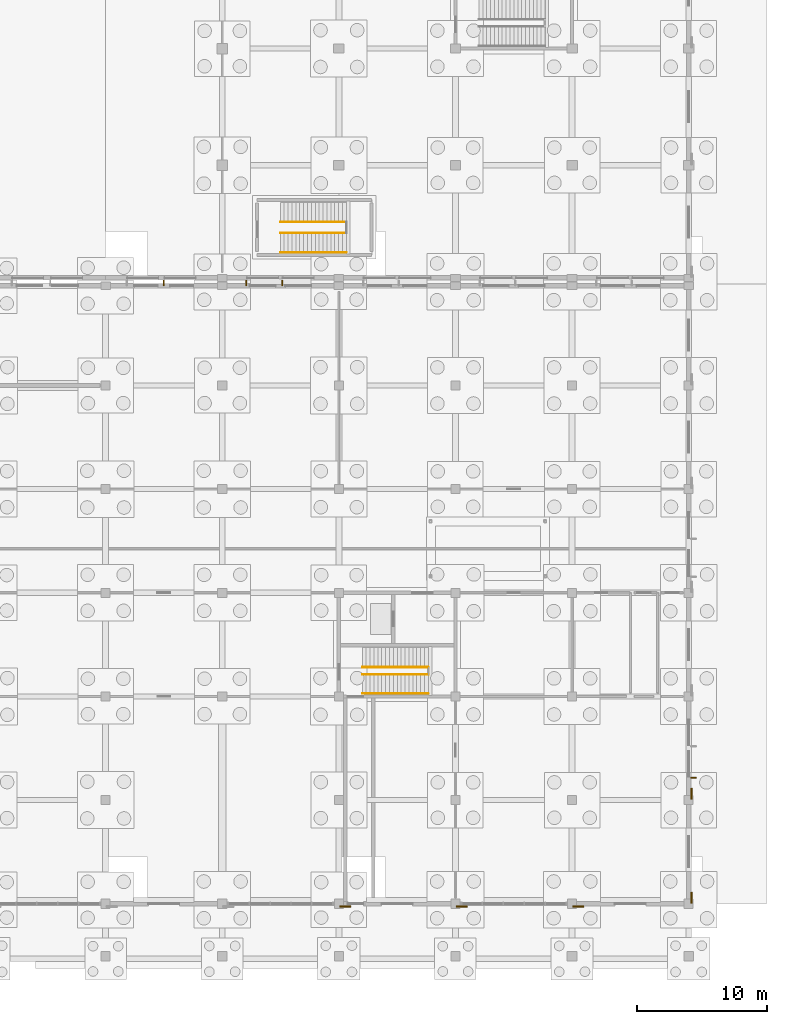
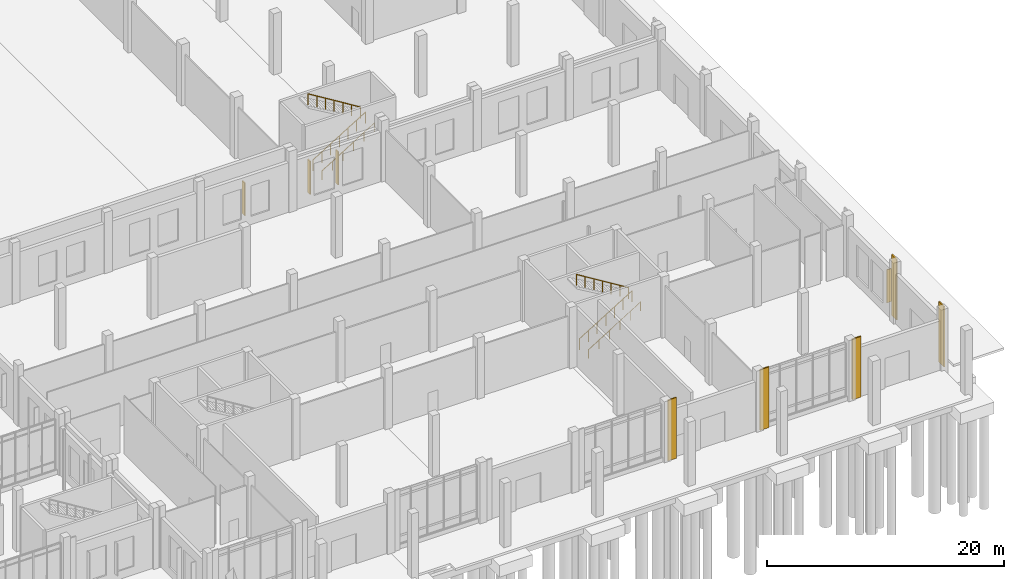
# One storey, part 91 of 99: 6 railings, 5 coverings, 4 shading devices.
"""IFC4 building model written with IfcOpenShell, lengths in metres."""

from ifc_helpers import new_model, si_unit, direction, frame, origin, origin_2d, place, context, subcontext, project, spatial, rectangle, circle, extrude, material, layer, layer_set, type_object, element, save


model = new_model("IFC4")

# Units and contexts
model_context = context("Model", 3, precision=1e-05, world=origin(), true_north=direction((0.0, 1.0)))
body_context = subcontext(model_context, "Body", "Model", "MODEL_VIEW")
ifc_project = project(units=[si_unit("LENGTHUNIT", "METRE"), si_unit("AREAUNIT", "SQUARE_METRE"), si_unit("VOLUMEUNIT", "CUBIC_METRE"), si_unit("PLANEANGLEUNIT", "RADIAN"), si_unit("MASSUNIT", "GRAM", prefix="KILO")], contexts=[model_context])

# Site, building, storey
site_placement = place(None, origin())
site = spatial("IfcSite", under=ifc_project, at=site_placement, CompositionType="ELEMENT")
building_placement = place(site_placement, origin())
building = spatial("IfcBuilding", under=site, at=building_placement, Name="Zacnel Wholesale Market", CompositionType="ELEMENT")
storey_placement = place(building_placement, origin())
storey = spatial("IfcBuildingStorey", under=building, at=storey_placement, Name="L01", CompositionType="ELEMENT", Elevation=0.0)

# Coverings
ifc_material_1 = material(Name="Honed Yucatan Maya cream limestone", Category="masonry")
ifc_layer = layer(ifc_material_1, 0.090087890625)
ifc_layer_set = layer_set([ifc_layer], Name="Honed Yucatan Maya cream limestone")
covering_type = type_object("IfcCoveringType", Name="COV-CLAD-FRET", PredefinedType="CLADDING", material=ifc_layer_set)
for number, where, z_axis, x_axis, name in (
    (1, (189.47998046875, -0.2099609375, 0.02001953125), (0.0, 0.0, 1.0), (1.0, 0.0, 0.0), "Fluted Mayan-Deco limestone pilaster L01-0053"),
    (2, (198.47998046875, -0.2099609375, 0.02001953125), (0.0, 0.0, 1.0), (1.0, 0.0, 0.0), "Fluted Mayan-Deco limestone pilaster L01-0054"),
    (3, (207.47998046875, -0.2099609375, 0.02001953125), (0.0, 0.0, 1.0), (1.0, 0.0, 0.0), "Fluted Mayan-Deco limestone pilaster L01-0055"),
    (4, (216.2099609375, 0.47998046875, 0.02001953125), (0.0, 0.0, 1.0), (0.0, 1.0, 0.0), "Fluted Mayan-Deco limestone pilaster L01-0056"),
    (5, (216.2099609375, 8.47998046875, 0.02001953125), (0.0, 0.0, 1.0), (0.0, 1.0, 0.0), "Fluted Mayan-Deco limestone pilaster L01-0057"),
):
    element("IfcCovering", number, at=place(storey_placement, frame(where, z_axis=z_axis, x_axis=x_axis)), inside=storey, type_object=covering_type, Name=name, PredefinedType="CLADDING", context=body_context, shape_type="SweptSolid", body=[
        extrude(rectangle(XDim=0.85009765625, YDim=0.1201171875, at=origin_2d()), origin(), (0.0, 0.0, 1.0), 6.260009765625),
    ])

# Railings
ifc_material_2 = material(Name="Galvanized steel", Category="steel")
railing_type_1 = type_object("IfcRailingType", Name="RAL-HANDRAIL-920", PredefinedType="HANDRAIL", material=ifc_material_2)
railing_1_placement = place(storey_placement, frame((190.81005859375, 16.2099609375, 0.0)))
element("IfcRailing", 6, at=railing_1_placement, inside=storey, type_object=railing_type_1, Name="Stair ST-04 wall handrail", PredefinedType="HANDRAIL", context=body_context, shape_type="SweptSolid", body=[
    extrude(circle(Radius=0.02099609375, at=origin_2d()), frame((0.0, 0.0, 0.89892578125), z_axis=(0.850798532938, 0.0, 0.525492013594), x_axis=(0.0, 1.0, 0.0)), (0.0, 0.0, 1.0), 5.994140625),
    extrude(circle(Radius=0.01806640625, at=origin_2d()), origin(), (0.0, 0.0, 1.0), 0.8779296875),
    extrude(circle(Radius=0.01806640625, at=origin_2d()), frame((1.02001953125, 0.0, 0.6298828125)), (0.0, 0.0, 1.0), 0.8779296875),
    extrude(circle(Radius=0.01806640625, at=origin_2d()), frame((2.0400390625, 0.0, 1.260009765625)), (0.0, 0.0, 1.0), 0.8779296875),
    extrude(circle(Radius=0.01806640625, at=origin_2d()), frame((3.059814453125, 0.0, 1.889892578125)), (0.0, 0.0, 1.0), 0.8779296875),
    extrude(circle(Radius=0.01806640625, at=origin_2d()), frame((4.079833984375, 0.0, 2.52001953125)), (0.0, 0.0, 1.0), 0.8779296875),
    extrude(circle(Radius=0.01806640625, at=origin_2d()), frame((5.099853515625, 0.0, 3.14990234375)), (0.0, 0.0, 1.0), 0.8779296875),
])
railing_2_placement = place(storey_placement, frame((184.47998046875, 50.280029296875, 0.0)))
element("IfcRailing", 7, at=railing_2_placement, inside=storey, type_object=railing_type_1, Name="Stair ST-22 wall handrail", PredefinedType="HANDRAIL", context=body_context, shape_type="SweptSolid", body=[
    extrude(circle(Radius=0.02099609375, at=origin_2d()), frame((0.0, 0.0, 0.89892578125), z_axis=(0.850809779473, 0.0, 0.52547380444), x_axis=(0.0, 1.0, 0.0)), (0.0, 0.0, 1.0), 5.994384765625),
    extrude(circle(Radius=0.01806640625, at=origin_2d()), origin(), (0.0, 0.0, 1.0), 0.8779296875),
    extrude(circle(Radius=0.01806640625, at=origin_2d()), frame((1.02001953125, 0.0, 0.6298828125)), (0.0, 0.0, 1.0), 0.8779296875),
    extrude(circle(Radius=0.01806640625, at=origin_2d()), frame((2.0400390625, 0.0, 1.260009765625)), (0.0, 0.0, 1.0), 0.8779296875),
    extrude(circle(Radius=0.01806640625, at=origin_2d()), frame((3.06005859375, 0.0, 1.889892578125)), (0.0, 0.0, 1.0), 0.8779296875),
    extrude(circle(Radius=0.01806640625, at=origin_2d()), frame((4.080078125, 0.0, 2.52001953125)), (0.0, 0.0, 1.0), 0.8779296875),
    extrude(circle(Radius=0.01806640625, at=origin_2d()), frame((5.10009765625, 0.0, 3.14990234375)), (0.0, 0.0, 1.0), 0.8779296875),
])
ifc_material_3 = material(Name="Galvanized steel", Category="steel")
railing_type_2 = type_object("IfcRailingType", Name="RAL-STAIR-GD1150", PredefinedType="BALUSTRADE", material=ifc_material_3)
railing_3_placement = place(storey_placement, frame((190.81005859375, 17.699951171875, 0.0)))
element("IfcRailing", 8, at=railing_3_placement, inside=storey, type_object=railing_type_2, Name="Stair balustrade INT-STAIR-ST-04-GDIN-1", PredefinedType="BALUSTRADE", context=body_context, shape_type="SweptSolid", body=[
    extrude(circle(Radius=0.02392578125, at=origin_2d()), frame((0.0, 0.0, 1.1259765625), z_axis=(0.850798532938, 0.0, 0.525492013594), x_axis=(0.0, 1.0, 0.0)), (0.0, 0.0, 1.0), 5.994140625),
    extrude(circle(Radius=0.02099609375, at=origin_2d()), origin(), (0.0, 0.0, 1.0), 1.101806640625),
    extrude(circle(Radius=0.02099609375, at=origin_2d()), frame((0.85009765625, 0.0, 0.52490234375)), (0.0, 0.0, 1.0), 1.101806640625),
    extrude(circle(Radius=0.02099609375, at=origin_2d()), frame((1.699951171875, 0.0, 1.050048828125)), (0.0, 0.0, 1.0), 1.101806640625),
    extrude(circle(Radius=0.02099609375, at=origin_2d()), frame((2.5498046875, 0.0, 1.574951171875)), (0.0, 0.0, 1.0), 1.101806640625),
    extrude(circle(Radius=0.02099609375, at=origin_2d()), frame((3.39990234375, 0.0, 2.099853515625)), (0.0, 0.0, 1.0), 1.101806640625),
    extrude(circle(Radius=0.02099609375, at=origin_2d()), frame((4.25, 0.0, 2.625)), (0.0, 0.0, 1.0), 1.101806640625),
    extrude(circle(Radius=0.02099609375, at=origin_2d()), frame((5.099853515625, 0.0, 3.14990234375)), (0.0, 0.0, 1.0), 1.101806640625),
])
railing_4_placement = place(storey_placement, frame((195.909912109375, 18.25, 3.14990234375)))
element("IfcRailing", 9, at=railing_4_placement, inside=storey, type_object=railing_type_2, Name="Stair balustrade INT-STAIR-ST-04-GDIN-3", PredefinedType="BALUSTRADE", context=body_context, shape_type="SweptSolid", body=[
    extrude(circle(Radius=0.02392578125, at=origin_2d()), frame((0.0, 0.0, 1.1259765625), z_axis=(-0.850780323153, 0.0, 0.525521495028), x_axis=(0.0, -1.0, 0.0)), (0.0, 0.0, 1.0), 5.994384765625),
    extrude(circle(Radius=0.02099609375, at=origin_2d()), origin(), (0.0, 0.0, 1.0), 1.101806640625),
    extrude(circle(Radius=0.02099609375, at=origin_2d()), frame((-0.85009765625, 0.0, 0.52490234375)), (0.0, 0.0, 1.0), 1.101806640625),
    extrude(circle(Radius=0.02099609375, at=origin_2d()), frame((-1.699951171875, 0.0, 1.050048828125)), (0.0, 0.0, 1.0), 1.101806640625),
    extrude(circle(Radius=0.02099609375, at=origin_2d()), frame((-2.5498046875, 0.0, 1.5751953125)), (0.0, 0.0, 1.0), 1.101806640625),
    extrude(circle(Radius=0.02099609375, at=origin_2d()), frame((-3.39990234375, 0.0, 2.10009765625)), (0.0, 0.0, 1.0), 1.101806640625),
    extrude(circle(Radius=0.02099609375, at=origin_2d()), frame((-4.25, 0.0, 2.625)), (0.0, 0.0, 1.0), 1.101806640625),
    extrude(circle(Radius=0.02099609375, at=origin_2d()), frame((-5.099853515625, 0.0, 3.150146484375)), (0.0, 0.0, 1.0), 1.101806640625),
])
railing_5_placement = place(storey_placement, frame((184.47998046875, 51.77001953125, 0.0)))
element("IfcRailing", 10, at=railing_5_placement, inside=storey, type_object=railing_type_2, Name="Stair balustrade INT-STAIR-ST-22-GDIN-1", PredefinedType="BALUSTRADE", context=body_context, shape_type="SweptSolid", body=[
    extrude(circle(Radius=0.02392578125, at=origin_2d()), frame((0.0, 0.0, 1.1259765625), z_axis=(0.850809779473, 0.0, 0.52547380444), x_axis=(0.0, 1.0, 0.0)), (0.0, 0.0, 1.0), 5.994384765625),
    extrude(circle(Radius=0.02099609375, at=origin_2d()), origin(), (0.0, 0.0, 1.0), 1.101806640625),
    extrude(circle(Radius=0.02099609375, at=origin_2d()), frame((0.85009765625, 0.0, 0.52490234375)), (0.0, 0.0, 1.0), 1.101806640625),
    extrude(circle(Radius=0.02099609375, at=origin_2d()), frame((1.699951171875, 0.0, 1.050048828125)), (0.0, 0.0, 1.0), 1.101806640625),
    extrude(circle(Radius=0.02099609375, at=origin_2d()), frame((2.550048828125, 0.0, 1.574951171875)), (0.0, 0.0, 1.0), 1.101806640625),
    extrude(circle(Radius=0.02099609375, at=origin_2d()), frame((3.400146484375, 0.0, 2.099853515625)), (0.0, 0.0, 1.0), 1.101806640625),
    extrude(circle(Radius=0.02099609375, at=origin_2d()), frame((4.25, 0.0, 2.625)), (0.0, 0.0, 1.0), 1.101806640625),
    extrude(circle(Radius=0.02099609375, at=origin_2d()), frame((5.10009765625, 0.0, 3.14990234375)), (0.0, 0.0, 1.0), 1.101806640625),
])
railing_6_placement = place(storey_placement, frame((189.580078125, 52.6298828125, 3.14990234375)))
element("IfcRailing", 11, at=railing_6_placement, inside=storey, type_object=railing_type_2, Name="Stair balustrade INT-STAIR-ST-22-GDIN-3", PredefinedType="BALUSTRADE", context=body_context, shape_type="SweptSolid", body=[
    extrude(circle(Radius=0.02392578125, at=origin_2d()), frame((0.0, 0.0, 1.1259765625), z_axis=(-0.850791570709, 0.0, 0.525503285632), x_axis=(0.0, -1.0, 0.0)), (0.0, 0.0, 1.0), 5.99462890625),
    extrude(circle(Radius=0.02099609375, at=origin_2d()), origin(), (0.0, 0.0, 1.0), 1.101806640625),
    extrude(circle(Radius=0.02099609375, at=origin_2d()), frame((-0.85009765625, 0.0, 0.52490234375)), (0.0, 0.0, 1.0), 1.101806640625),
    extrude(circle(Radius=0.02099609375, at=origin_2d()), frame((-1.699951171875, 0.0, 1.050048828125)), (0.0, 0.0, 1.0), 1.101806640625),
    extrude(circle(Radius=0.02099609375, at=origin_2d()), frame((-2.550048828125, 0.0, 1.5751953125)), (0.0, 0.0, 1.0), 1.101806640625),
    extrude(circle(Radius=0.02099609375, at=origin_2d()), frame((-3.400146484375, 0.0, 2.10009765625)), (0.0, 0.0, 1.0), 1.101806640625),
    extrude(circle(Radius=0.02099609375, at=origin_2d()), frame((-4.25, 0.0, 2.625)), (0.0, 0.0, 1.0), 1.101806640625),
    extrude(circle(Radius=0.02099609375, at=origin_2d()), frame((-5.10009765625, 0.0, 3.150146484375)), (0.0, 0.0, 1.0), 1.101806640625),
])

# Shading devices
ifc_material_4 = material(Name="Honed Yucatan Maya cream limestone", Category="masonry")
shading_device_type = type_object("IfcShadingDeviceType", Name="SHD-FIN-V450", PredefinedType="USERDEFINED", material=ifc_material_4)
for number, where, z_axis, x_axis, name in (
    (12, (216.3798828125, 9.722900390625, 0.800048828125), (0.0, 0.0, 1.0), (0.0, 1.0, 0.0), "Limestone sunshade fin 0067"),
    (13, (175.489990234375, 47.919921875, 0.949951171875), (0.0, 0.0, 1.0), (1.0, 0.0, 0.0), "Limestone sunshade fin 0104"),
    (14, (181.864990234375, 47.919921875, 0.949951171875), (0.0, 0.0, 1.0), (1.0, 0.0, 0.0), "Limestone sunshade fin 0105"),
    (15, (184.614990234375, 47.919921875, 0.949951171875), (0.0, 0.0, 1.0), (1.0, 0.0, 0.0), "Limestone sunshade fin 0106"),
):
    element("IfcShadingDevice", number, at=place(storey_placement, frame(where, z_axis=z_axis, x_axis=x_axis)), inside=storey, type_object=shading_device_type, Name=name, ObjectType="SUNSHADE", PredefinedType="USERDEFINED", context=body_context, shape_type="SweptSolid", body=[
        extrude(rectangle(XDim=0.080078125, YDim=0.43994140625, at=origin_2d()), origin(), (0.0, 0.0, 1.0), 3.39990234375),
    ])

save(model, "model.ifc")
